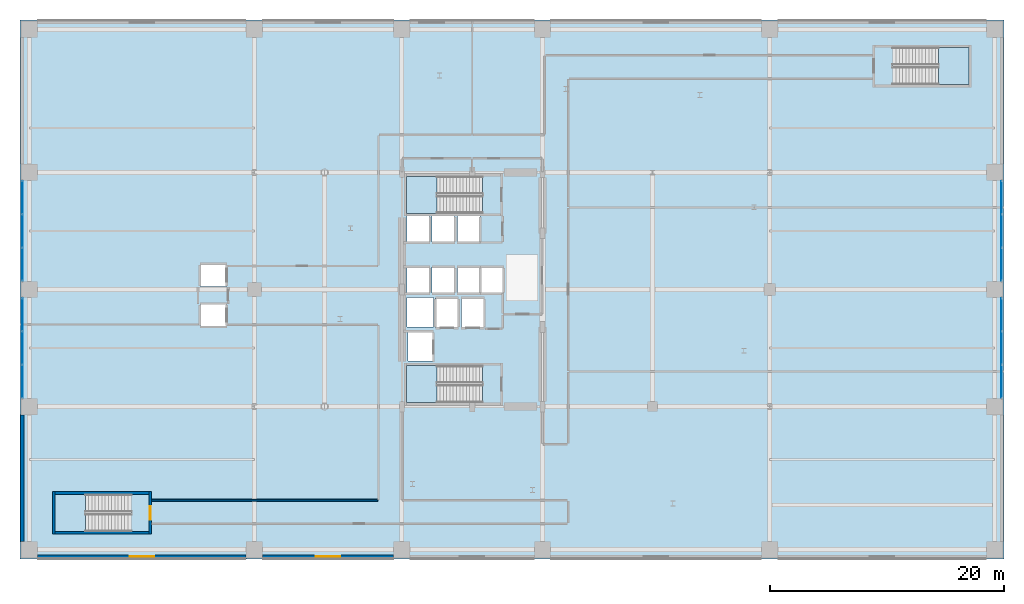
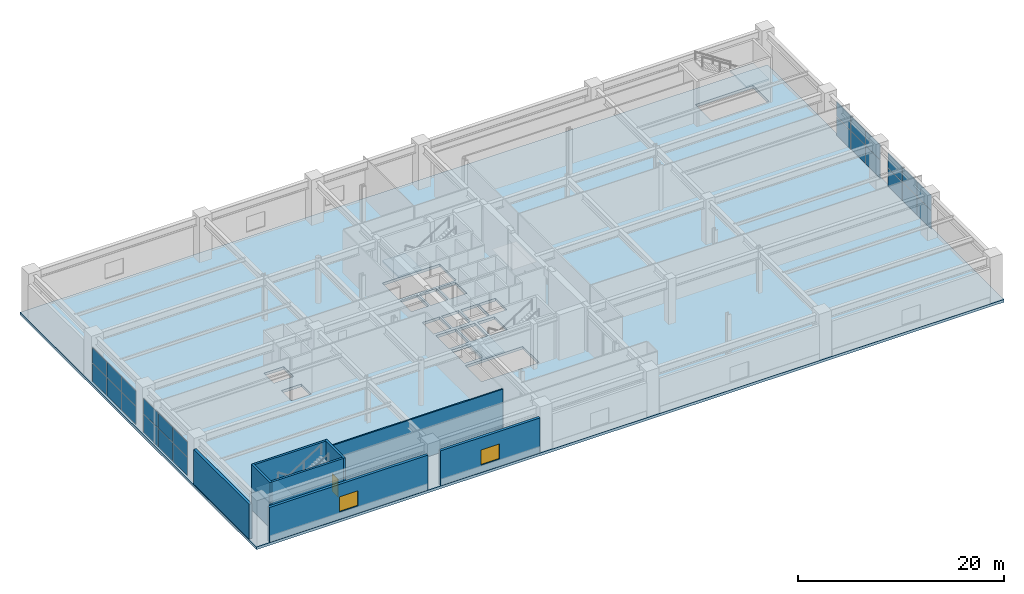
# One storey, part 19 of 28: 24 plates, 8 walls, 5 slabs, 2 windows, 1 door, 3 openings, 8 elements without a shape of their own.
"""IFC4 building model written with IfcOpenShell, lengths in metres."""

from ifc_helpers import new_model, si_unit, direction, frame, frame_2d, origin, origin_2d, place, context, subcontext, project, spatial, polyline, rectangle, outline, extrude, material, layer, layer_set, type_object, element, fill, aggregate, save


model = new_model("IFC4")

# Units and contexts
model_context = context("Model", 3, precision=1e-05, world=origin(), true_north=direction((0.0, 1.0)))
body_context = subcontext(model_context, "Body", "Model", "MODEL_VIEW")
ifc_project = project(units=[si_unit("LENGTHUNIT", "METRE"), si_unit("AREAUNIT", "SQUARE_METRE"), si_unit("VOLUMEUNIT", "CUBIC_METRE"), si_unit("PLANEANGLEUNIT", "RADIAN"), si_unit("MASSUNIT", "GRAM", prefix="KILO")], contexts=[model_context])

# Site, building, storey
site_placement = place(None, origin())
site = spatial("IfcSite", under=ifc_project, at=site_placement, CompositionType="ELEMENT")
building_placement = place(site_placement, origin())
building = spatial("IfcBuilding", under=site, at=building_placement, Name="Soratama Intermodal Tower", CompositionType="ELEMENT")
storey_placement = place(building_placement, frame((0.0, 0.0, 6.0)))
storey = spatial("IfcBuildingStorey", under=building, at=storey_placement, Name="L01", CompositionType="ELEMENT", Elevation=6.0)

# Curtain wall, plates
ifc_material_1 = material(Name="Double-glazed aluminium curtain wall", Category="aluminium")
ifc_layer_1 = layer(ifc_material_1, 0.159912109375)
ifc_layer_set_1 = layer_set([ifc_layer_1], Name="Double-glazed aluminium curtain wall")
curtain_wall_type = type_object("IfcCurtainWallType", Name="CW-SYS-1", PredefinedType="NOTDEFINED", material=ifc_layer_set_1)
curtain_wall_1_placement = place(storey_placement, origin())
curtain_wall_1 = element("IfcCurtainWall", 1, at=curtain_wall_1_placement, inside=storey, type_object=curtain_wall_type, Name="L01 Station Curtain Wall E1", PredefinedType="NOTDEFINED")
ifc_material_2 = material(Name="Low-E laminated double glazing", Category="glass")
ifc_layer_2 = layer(ifc_material_2, 0.035888671875)
ifc_layer_set_2 = layer_set([ifc_layer_2], Name="Low-E laminated double glazing")
plate_type = type_object("IfcPlateType", Name="PT-CWP-1", PredefinedType="CURTAIN_PANEL", material=ifc_layer_set_2)
plate_1_placement = place(storey_placement, frame((83.800048828125, 17.1484375, 0.06005859375), z_axis=(0.0, 0.0, 1.0), x_axis=(0.0, 1.0, 0.0)))
plate_1 = element("IfcPlate", 2, at=plate_1_placement, type_object=plate_type, Name="CW-1 panel 1.1", PredefinedType="CURTAIN_PANEL", context=body_context, shape_type="SweptSolid", body=[
    extrude(rectangle(XDim=2.776611328125, YDim=0.028076171875, at=origin_2d()), origin(), (0.0, 0.0, 1.0), 2.159912109375),
])
plate_2_placement = place(storey_placement, frame((83.800048828125, 17.1484375, 2.280029296875), z_axis=(0.0, 0.0, 1.0), x_axis=(0.0, 1.0, 0.0)))
plate_2 = element("IfcPlate", 3, at=plate_2_placement, type_object=plate_type, Name="CW-1 panel 1.2", PredefinedType="CURTAIN_PANEL", context=body_context, shape_type="SweptSolid", body=[
    extrude(rectangle(XDim=2.776611328125, YDim=0.028076171875, at=origin_2d()), origin(), (0.0, 0.0, 1.0), 1.7958984375),
])
plate_3_placement = place(storey_placement, frame((83.800048828125, 20.0, 0.06005859375), z_axis=(0.0, 0.0, 1.0), x_axis=(0.0, 1.0, 0.0)))
plate_3 = element("IfcPlate", 4, at=plate_3_placement, type_object=plate_type, Name="CW-1 panel 2.1", PredefinedType="CURTAIN_PANEL", context=body_context, shape_type="SweptSolid", body=[
    extrude(rectangle(XDim=2.806640625, YDim=0.028076171875, at=origin_2d()), origin(), (0.0, 0.0, 1.0), 2.159912109375),
])
plate_4_placement = place(storey_placement, frame((83.800048828125, 20.0, 2.280029296875), z_axis=(0.0, 0.0, 1.0), x_axis=(0.0, 1.0, 0.0)))
plate_4 = element("IfcPlate", 5, at=plate_4_placement, type_object=plate_type, Name="CW-1 panel 2.2", PredefinedType="CURTAIN_PANEL", context=body_context, shape_type="SweptSolid", body=[
    extrude(rectangle(XDim=2.806640625, YDim=0.028076171875, at=origin_2d()), origin(), (0.0, 0.0, 1.0), 1.7958984375),
])
plate_5_placement = place(storey_placement, frame((83.800048828125, 22.8515625, 0.06005859375), z_axis=(0.0, 0.0, 1.0), x_axis=(0.0, 1.0, 0.0)))
plate_5 = element("IfcPlate", 6, at=plate_5_placement, type_object=plate_type, Name="CW-1 panel 3.1", PredefinedType="CURTAIN_PANEL", context=body_context, shape_type="SweptSolid", body=[
    extrude(rectangle(XDim=2.776611328125, YDim=0.028076171875, at=origin_2d()), origin(), (0.0, 0.0, 1.0), 2.159912109375),
])
plate_6_placement = place(storey_placement, frame((83.800048828125, 22.8515625, 2.280029296875), z_axis=(0.0, 0.0, 1.0), x_axis=(0.0, 1.0, 0.0)))
plate_6 = element("IfcPlate", 7, at=plate_6_placement, type_object=plate_type, Name="CW-1 panel 3.2", PredefinedType="CURTAIN_PANEL", context=body_context, shape_type="SweptSolid", body=[
    extrude(rectangle(XDim=2.776611328125, YDim=0.028076171875, at=origin_2d()), origin(), (0.0, 0.0, 1.0), 1.7958984375),
])
aggregate(curtain_wall_1, [plate_1, plate_2, plate_3, plate_4, plate_5, plate_6])

curtain_wall_2_placement = place(storey_placement, origin())
curtain_wall_2 = element("IfcCurtainWall", 8, at=curtain_wall_2_placement, inside=storey, type_object=curtain_wall_type, Name="L01 Station Curtain Wall E2", PredefinedType="NOTDEFINED")
plate_7_placement = place(storey_placement, frame((83.800048828125, 27.1484375, 0.06005859375), z_axis=(0.0, 0.0, 1.0), x_axis=(0.0, 1.0, 0.0)))
plate_7 = element("IfcPlate", 9, at=plate_7_placement, type_object=plate_type, Name="CW-1 panel 1.1", PredefinedType="CURTAIN_PANEL", context=body_context, shape_type="SweptSolid", body=[
    extrude(rectangle(XDim=2.776611328125, YDim=0.028076171875, at=origin_2d()), origin(), (0.0, 0.0, 1.0), 2.159912109375),
])
plate_8_placement = place(storey_placement, frame((83.800048828125, 27.1484375, 2.280029296875), z_axis=(0.0, 0.0, 1.0), x_axis=(0.0, 1.0, 0.0)))
plate_8 = element("IfcPlate", 10, at=plate_8_placement, type_object=plate_type, Name="CW-1 panel 1.2", PredefinedType="CURTAIN_PANEL", context=body_context, shape_type="SweptSolid", body=[
    extrude(rectangle(XDim=2.776611328125, YDim=0.028076171875, at=origin_2d()), origin(), (0.0, 0.0, 1.0), 1.7958984375),
])
plate_9_placement = place(storey_placement, frame((83.800048828125, 30.0, 0.06005859375), z_axis=(0.0, 0.0, 1.0), x_axis=(0.0, 1.0, 0.0)))
plate_9 = element("IfcPlate", 11, at=plate_9_placement, type_object=plate_type, Name="CW-1 panel 2.1", PredefinedType="CURTAIN_PANEL", context=body_context, shape_type="SweptSolid", body=[
    extrude(rectangle(XDim=2.806640625, YDim=0.028076171875, at=origin_2d()), origin(), (0.0, 0.0, 1.0), 2.159912109375),
])
plate_10_placement = place(storey_placement, frame((83.800048828125, 30.0, 2.280029296875), z_axis=(0.0, 0.0, 1.0), x_axis=(0.0, 1.0, 0.0)))
plate_10 = element("IfcPlate", 12, at=plate_10_placement, type_object=plate_type, Name="CW-1 panel 2.2", PredefinedType="CURTAIN_PANEL", context=body_context, shape_type="SweptSolid", body=[
    extrude(rectangle(XDim=2.806640625, YDim=0.028076171875, at=origin_2d()), origin(), (0.0, 0.0, 1.0), 1.7958984375),
])
plate_11_placement = place(storey_placement, frame((83.800048828125, 32.8515625, 0.06005859375), z_axis=(0.0, 0.0, 1.0), x_axis=(0.0, 1.0, 0.0)))
plate_11 = element("IfcPlate", 13, at=plate_11_placement, type_object=plate_type, Name="CW-1 panel 3.1", PredefinedType="CURTAIN_PANEL", context=body_context, shape_type="SweptSolid", body=[
    extrude(rectangle(XDim=2.776611328125, YDim=0.028076171875, at=origin_2d()), origin(), (0.0, 0.0, 1.0), 2.159912109375),
])
plate_12_placement = place(storey_placement, frame((83.800048828125, 32.8515625, 2.280029296875), z_axis=(0.0, 0.0, 1.0), x_axis=(0.0, 1.0, 0.0)))
plate_12 = element("IfcPlate", 14, at=plate_12_placement, type_object=plate_type, Name="CW-1 panel 3.2", PredefinedType="CURTAIN_PANEL", context=body_context, shape_type="SweptSolid", body=[
    extrude(rectangle(XDim=2.776611328125, YDim=0.028076171875, at=origin_2d()), origin(), (0.0, 0.0, 1.0), 1.7958984375),
])
aggregate(curtain_wall_2, [plate_7, plate_8, plate_9, plate_10, plate_11, plate_12])

curtain_wall_3_placement = place(storey_placement, origin())
curtain_wall_3 = element("IfcCurtainWall", 15, at=curtain_wall_3_placement, inside=storey, type_object=curtain_wall_type, Name="L01 Station Curtain Wall W1", PredefinedType="NOTDEFINED")
plate_13_placement = place(storey_placement, frame((0.199951171875, 17.1484375, 0.06005859375), z_axis=(0.0, 0.0, 1.0), x_axis=(0.0, 1.0, 0.0)))
plate_13 = element("IfcPlate", 16, at=plate_13_placement, type_object=plate_type, Name="CW-1 panel 1.1", PredefinedType="CURTAIN_PANEL", context=body_context, shape_type="SweptSolid", body=[
    extrude(rectangle(XDim=2.776611328125, YDim=0.028076171875, at=origin_2d()), origin(), (0.0, 0.0, 1.0), 2.159912109375),
])
plate_14_placement = place(storey_placement, frame((0.199951171875, 17.1484375, 2.280029296875), z_axis=(0.0, 0.0, 1.0), x_axis=(0.0, 1.0, 0.0)))
plate_14 = element("IfcPlate", 17, at=plate_14_placement, type_object=plate_type, Name="CW-1 panel 1.2", PredefinedType="CURTAIN_PANEL", context=body_context, shape_type="SweptSolid", body=[
    extrude(rectangle(XDim=2.776611328125, YDim=0.028076171875, at=origin_2d()), origin(), (0.0, 0.0, 1.0), 1.7958984375),
])
plate_15_placement = place(storey_placement, frame((0.199951171875, 20.0, 0.06005859375), z_axis=(0.0, 0.0, 1.0), x_axis=(0.0, 1.0, 0.0)))
plate_15 = element("IfcPlate", 18, at=plate_15_placement, type_object=plate_type, Name="CW-1 panel 2.1", PredefinedType="CURTAIN_PANEL", context=body_context, shape_type="SweptSolid", body=[
    extrude(rectangle(XDim=2.806640625, YDim=0.028076171875, at=origin_2d()), origin(), (0.0, 0.0, 1.0), 2.159912109375),
])
plate_16_placement = place(storey_placement, frame((0.199951171875, 20.0, 2.280029296875), z_axis=(0.0, 0.0, 1.0), x_axis=(0.0, 1.0, 0.0)))
plate_16 = element("IfcPlate", 19, at=plate_16_placement, type_object=plate_type, Name="CW-1 panel 2.2", PredefinedType="CURTAIN_PANEL", context=body_context, shape_type="SweptSolid", body=[
    extrude(rectangle(XDim=2.806640625, YDim=0.028076171875, at=origin_2d()), origin(), (0.0, 0.0, 1.0), 1.7958984375),
])
plate_17_placement = place(storey_placement, frame((0.199951171875, 22.8515625, 0.06005859375), z_axis=(0.0, 0.0, 1.0), x_axis=(0.0, 1.0, 0.0)))
plate_17 = element("IfcPlate", 20, at=plate_17_placement, type_object=plate_type, Name="CW-1 panel 3.1", PredefinedType="CURTAIN_PANEL", context=body_context, shape_type="SweptSolid", body=[
    extrude(rectangle(XDim=2.776611328125, YDim=0.028076171875, at=origin_2d()), origin(), (0.0, 0.0, 1.0), 2.159912109375),
])
plate_18_placement = place(storey_placement, frame((0.199951171875, 22.8515625, 2.280029296875), z_axis=(0.0, 0.0, 1.0), x_axis=(0.0, 1.0, 0.0)))
plate_18 = element("IfcPlate", 21, at=plate_18_placement, type_object=plate_type, Name="CW-1 panel 3.2", PredefinedType="CURTAIN_PANEL", context=body_context, shape_type="SweptSolid", body=[
    extrude(rectangle(XDim=2.776611328125, YDim=0.028076171875, at=origin_2d()), origin(), (0.0, 0.0, 1.0), 1.7958984375),
])
aggregate(curtain_wall_3, [plate_13, plate_14, plate_15, plate_16, plate_17, plate_18])

curtain_wall_4_placement = place(storey_placement, origin())
curtain_wall_4 = element("IfcCurtainWall", 22, at=curtain_wall_4_placement, inside=storey, type_object=curtain_wall_type, Name="L01 Station Curtain Wall W2", PredefinedType="NOTDEFINED")
plate_19_placement = place(storey_placement, frame((0.199951171875, 27.1484375, 0.06005859375), z_axis=(0.0, 0.0, 1.0), x_axis=(0.0, 1.0, 0.0)))
plate_19 = element("IfcPlate", 23, at=plate_19_placement, type_object=plate_type, Name="CW-1 panel 1.1", PredefinedType="CURTAIN_PANEL", context=body_context, shape_type="SweptSolid", body=[
    extrude(rectangle(XDim=2.776611328125, YDim=0.028076171875, at=origin_2d()), origin(), (0.0, 0.0, 1.0), 2.159912109375),
])
plate_20_placement = place(storey_placement, frame((0.199951171875, 27.1484375, 2.280029296875), z_axis=(0.0, 0.0, 1.0), x_axis=(0.0, 1.0, 0.0)))
plate_20 = element("IfcPlate", 24, at=plate_20_placement, type_object=plate_type, Name="CW-1 panel 1.2", PredefinedType="CURTAIN_PANEL", context=body_context, shape_type="SweptSolid", body=[
    extrude(rectangle(XDim=2.776611328125, YDim=0.028076171875, at=origin_2d()), origin(), (0.0, 0.0, 1.0), 1.7958984375),
])
plate_21_placement = place(storey_placement, frame((0.199951171875, 30.0, 0.06005859375), z_axis=(0.0, 0.0, 1.0), x_axis=(0.0, 1.0, 0.0)))
plate_21 = element("IfcPlate", 25, at=plate_21_placement, type_object=plate_type, Name="CW-1 panel 2.1", PredefinedType="CURTAIN_PANEL", context=body_context, shape_type="SweptSolid", body=[
    extrude(rectangle(XDim=2.806640625, YDim=0.028076171875, at=origin_2d()), origin(), (0.0, 0.0, 1.0), 2.159912109375),
])
plate_22_placement = place(storey_placement, frame((0.199951171875, 30.0, 2.280029296875), z_axis=(0.0, 0.0, 1.0), x_axis=(0.0, 1.0, 0.0)))
plate_22 = element("IfcPlate", 26, at=plate_22_placement, type_object=plate_type, Name="CW-1 panel 2.2", PredefinedType="CURTAIN_PANEL", context=body_context, shape_type="SweptSolid", body=[
    extrude(rectangle(XDim=2.806640625, YDim=0.028076171875, at=origin_2d()), origin(), (0.0, 0.0, 1.0), 1.7958984375),
])
plate_23_placement = place(storey_placement, frame((0.199951171875, 32.8515625, 0.06005859375), z_axis=(0.0, 0.0, 1.0), x_axis=(0.0, 1.0, 0.0)))
plate_23 = element("IfcPlate", 27, at=plate_23_placement, type_object=plate_type, Name="CW-1 panel 3.1", PredefinedType="CURTAIN_PANEL", context=body_context, shape_type="SweptSolid", body=[
    extrude(rectangle(XDim=2.776611328125, YDim=0.028076171875, at=origin_2d()), origin(), (0.0, 0.0, 1.0), 2.159912109375),
])
plate_24_placement = place(storey_placement, frame((0.199951171875, 32.8515625, 2.280029296875), z_axis=(0.0, 0.0, 1.0), x_axis=(0.0, 1.0, 0.0)))
plate_24 = element("IfcPlate", 28, at=plate_24_placement, type_object=plate_type, Name="CW-1 panel 3.2", PredefinedType="CURTAIN_PANEL", context=body_context, shape_type="SweptSolid", body=[
    extrude(rectangle(XDim=2.776611328125, YDim=0.028076171875, at=origin_2d()), origin(), (0.0, 0.0, 1.0), 1.7958984375),
])
aggregate(curtain_wall_4, [plate_19, plate_20, plate_21, plate_22, plate_23, plate_24])

# Slab
ifc_material_3 = material(Name="Concrete f'c 42 MPa", Category="concrete")
ifc_layer_3 = layer(ifc_material_3, 0.320068359375)
ifc_layer_set_3 = layer_set([ifc_layer_3], Name="Concrete f'c 42 MPa")
slab_type_1 = type_object("IfcSlabType", Name="SL-POD-320", PredefinedType="FLOOR", material=ifc_layer_set_3)
slab_1_placement = place(storey_placement, frame((0.0, 0.0, -0.320068359375)))
element("IfcSlab", 29, at=slab_1_placement, inside=storey, type_object=slab_type_1, Name="L01 Structural Floor Slab", PredefinedType="FLOOR", context=body_context, shape_type="SweptSolid", body=[
    extrude(outline(polyline([(0.0, 2.0), (84.0, 2.0), (84.0, 48.0), (0.0, 48.0), (0.0, 2.0)]), holes=[polyline([(9.47509765625, 7.5), (3.0, 7.5), (3.0, 4.35009765625), (9.47509765625, 4.35009765625), (9.47509765625, 7.5)]), polyline([(35.260009765625, 18.889892578125), (35.260009765625, 21.409912109375), (33.139892578125, 21.409912109375), (33.139892578125, 18.889892578125), (35.260009765625, 18.889892578125)]), polyline([(17.610107421875, 21.840087890625), (17.610107421875, 23.760009765625), (15.389892578125, 23.760009765625), (15.389892578125, 21.840087890625), (17.610107421875, 21.840087890625)]), polyline([(33.050048828125, 21.800048828125), (35.280029296875, 21.800048828125), (35.280029296875, 24.320068359375), (33.050048828125, 24.320068359375), (33.050048828125, 21.800048828125)]), polyline([(34.9599609375, 24.68994140625), (34.9599609375, 26.909912109375), (33.0400390625, 26.909912109375), (33.0400390625, 24.68994140625), (34.9599609375, 24.68994140625)]), polyline([(37.110107421875, 24.68994140625), (37.110107421875, 26.909912109375), (35.18994140625, 26.909912109375), (35.18994140625, 24.68994140625), (37.110107421875, 24.68994140625)]), polyline([(17.610107421875, 25.239990234375), (17.610107421875, 27.159912109375), (15.389892578125, 27.159912109375), (15.389892578125, 25.239990234375), (17.610107421875, 25.239990234375)]), polyline([(34.9599609375, 29.0400390625), (34.9599609375, 31.260009765625), (33.0400390625, 31.260009765625), (33.0400390625, 29.0400390625), (34.9599609375, 29.0400390625)]), polyline([(37.110107421875, 29.0400390625), (37.110107421875, 31.260009765625), (35.18994140625, 31.260009765625), (35.18994140625, 29.0400390625), (37.110107421875, 29.0400390625)]), polyline([(39.47509765625, 18.5), (33.0, 18.5), (33.0, 15.35009765625), (39.47509765625, 15.35009765625), (39.47509765625, 18.5)]), polyline([(37.409912109375, 21.739990234375), (37.409912109375, 24.260009765625), (35.489990234375, 24.260009765625), (35.489990234375, 21.739990234375), (37.409912109375, 21.739990234375)]), polyline([(39.610107421875, 21.739990234375), (39.610107421875, 24.260009765625), (37.68994140625, 24.260009765625), (37.68994140625, 21.739990234375), (39.610107421875, 21.739990234375)]), polyline([(39.260009765625, 24.68994140625), (39.260009765625, 26.909912109375), (37.340087890625, 26.909912109375), (37.340087890625, 24.68994140625), (39.260009765625, 24.68994140625)]), polyline([(41.260009765625, 24.68994140625), (41.260009765625, 26.909912109375), (39.340087890625, 26.909912109375), (39.340087890625, 24.68994140625), (41.260009765625, 24.68994140625)]), polyline([(39.260009765625, 29.0400390625), (39.260009765625, 31.260009765625), (37.340087890625, 31.260009765625), (37.340087890625, 29.0400390625), (39.260009765625, 29.0400390625)]), polyline([(39.47509765625, 31.5), (39.47509765625, 34.64990234375), (33.0, 34.64990234375), (33.0, 31.5), (39.47509765625, 31.5)]), polyline([(74.52490234375, 45.64990234375), (74.52490234375, 42.5), (81.0, 42.5), (81.0, 45.64990234375), (74.52490234375, 45.64990234375)])]), origin(), (0.0, 0.0, 1.0), 0.320068359375),
])

# Stair, slab
ifc_material_4 = material(Name="Concrete f'c 42 MPa", Category="concrete")
stair_type = type_object("IfcStairType", Name="ST-CORE-DOGLEG", PredefinedType="HALF_TURN_STAIR", material=ifc_material_4)
stair_1_placement = place(storey_placement, origin())
stair_1 = element("IfcStair", 30, at=stair_1_placement, inside=storey, type_object=stair_type, Name="L01 ST-1", PredefinedType="HALF_TURN_STAIR")
ifc_material_5 = material(Name="Concrete f'c 42 MPa", Category="concrete")
ifc_layer_4 = layer(ifc_material_5, 0.219970703125)
ifc_layer_set_4 = layer_set([ifc_layer_4], Name="Concrete f'c 42 MPa")
slab_type_2 = type_object("IfcSlabType", Name="SL-STAIR-LAND", PredefinedType="LANDING", material=ifc_layer_set_4)
slab_2_placement = place(storey_placement, frame((0.0, 0.0, 2.5)))
slab_2 = element("IfcSlab", 31, at=slab_2_placement, type_object=slab_type_2, Name="ST-1 landing 1", PredefinedType="LANDING", context=body_context, shape_type="SweptSolid", body=[
    extrude(outline(polyline([(35.580078125, 18.5), (33.0, 18.5), (33.0, 15.35009765625), (35.580078125, 15.35009765625), (35.580078125, 18.5)])), origin(), (0.0, 0.0, 1.0), 0.199951171875),
])
aggregate(stair_1, [slab_2])

stair_2_placement = place(storey_placement, origin())
stair_2 = element("IfcStair", 32, at=stair_2_placement, inside=storey, type_object=stair_type, Name="L01 ST-2", PredefinedType="HALF_TURN_STAIR")
slab_3_placement = place(storey_placement, frame((0.0, 0.0, 2.5)))
slab_3 = element("IfcSlab", 33, at=slab_3_placement, type_object=slab_type_2, Name="ST-2 landing 1", PredefinedType="LANDING", context=body_context, shape_type="SweptSolid", body=[
    extrude(outline(polyline([(35.580078125, 34.64990234375), (33.0, 34.64990234375), (33.0, 31.5), (35.580078125, 31.5), (35.580078125, 34.64990234375)])), origin(), (0.0, 0.0, 1.0), 0.199951171875),
])
aggregate(stair_2, [slab_3])

stair_3_placement = place(storey_placement, origin())
stair_3 = element("IfcStair", 34, at=stair_3_placement, inside=storey, type_object=stair_type, Name="L01 ST-3", PredefinedType="HALF_TURN_STAIR")
slab_4_placement = place(storey_placement, frame((0.0, 0.0, 2.5)))
slab_4 = element("IfcSlab", 35, at=slab_4_placement, type_object=slab_type_2, Name="ST-3 landing 1", PredefinedType="LANDING", context=body_context, shape_type="SweptSolid", body=[
    extrude(outline(polyline([(5.580078125, 7.5), (3.0, 7.5), (3.0, 4.35009765625), (5.580078125, 4.35009765625), (5.580078125, 7.5)])), origin(), (0.0, 0.0, 1.0), 0.199951171875),
])
aggregate(stair_3, [slab_4])

stair_4_placement = place(storey_placement, origin())
stair_4 = element("IfcStair", 36, at=stair_4_placement, inside=storey, type_object=stair_type, Name="L01 ST-4", PredefinedType="HALF_TURN_STAIR")
slab_5_placement = place(storey_placement, frame((0.0, 0.0, 2.5)))
slab_5 = element("IfcSlab", 37, at=slab_5_placement, type_object=slab_type_2, Name="ST-4 landing 1", PredefinedType="LANDING", context=body_context, shape_type="SweptSolid", body=[
    extrude(outline(polyline([(78.419921875, 42.5), (81.0, 42.5), (81.0, 45.64990234375), (78.419921875, 45.64990234375), (78.419921875, 42.5)])), origin(), (0.0, 0.0, 1.0), 0.199951171875),
])
aggregate(stair_4, [slab_5])

# Wall, opening, window
ifc_material_6 = material(Name="Concrete f'c 42 MPa", Category="concrete")
ifc_layer_5 = layer(ifc_material_6, 0.300048828125)
ifc_layer_set_5 = layer_set([ifc_layer_5], Name="Concrete f'c 42 MPa")
wall_type_1 = type_object("IfcWallType", Name="EW-STONE-300", PredefinedType="SOLIDWALL", material=ifc_layer_set_5)
wall_1_placement = place(storey_placement, frame((19.300048828125, 2.199951171875, 0.0), z_axis=(0.0, 0.0, 1.0), x_axis=(-1.0, 0.0, 0.0)))
wall_1 = element("IfcWall", 38, at=wall_1_placement, inside=storey, type_object=wall_type_1, Name="L01 S Limestone Wall B1", PredefinedType="SOLIDWALL", context=body_context, shape_type="SweptSolid", body=[
    extrude(rectangle(XDim=17.800048828125, YDim=0.300048828125, at=frame_2d((8.89990234375, 0.0))), origin(), (0.0, 0.0, 1.0), 4.135986328125),
])
opening_1_placement = place(wall_1_placement, frame((7.85009765625, 0.0, 0.85009765625)))
opening_1 = element("IfcOpeningElement", 39, at=opening_1_placement, cuts=wall_1, Name="Opening WN-0", PredefinedType="OPENING", context=body_context, shape_type="SweptSolid", body=[
    extrude(rectangle(XDim=2.10009765625, YDim=1.800048828125, at=frame_2d((1.050048828125, 0.89990234375))), frame((0.0, 0.159912109375, 0.0), z_axis=(0.0, -1.0, 0.0), x_axis=(1.0, 0.0, 0.0)), (0.0, 0.0, 1.0), 0.320068359375),
])
ifc_material_7 = material(Name="Double-glazed aluminium window", Category="aluminium")
window_type = type_object("IfcWindowType", Name="WN-POD-2100", PartitioningType="SINGLE_PANEL", PredefinedType="WINDOW", material=ifc_material_7)
window_1_placement = place(opening_1_placement, origin())
window_1 = element("IfcWindow", 40, at=window_1_placement, inside=storey, type_object=window_type, Name="L01 S Window B1", OverallHeight=1.800048828125, OverallWidth=2.10009765625, PartitioningType="SINGLE_PANEL", PredefinedType="WINDOW", context=body_context, shape_type="SweptSolid", body=[
    extrude(rectangle(XDim=2.10009765625, YDim=1.800048828125, at=frame_2d((1.050048828125, 0.89990234375))), frame((0.0, 0.030029296875, 0.0), z_axis=(0.0, -1.0, 0.0), x_axis=(1.0, 0.0, 0.0)), (0.0, 0.0, 1.0), 0.06005859375),
])
fill(opening_1, window_1)

wall_2_placement = place(storey_placement, frame((31.89990234375, 2.199951171875, 0.0), z_axis=(0.0, 0.0, 1.0), x_axis=(-1.0, 0.0, 0.0)))
wall_2 = element("IfcWall", 41, at=wall_2_placement, inside=storey, type_object=wall_type_1, Name="L01 S Limestone Wall B2", PredefinedType="SOLIDWALL", context=body_context, shape_type="SweptSolid", body=[
    extrude(rectangle(XDim=11.199951171875, YDim=0.300048828125, at=frame_2d((5.60009765625, 0.0))), origin(), (0.0, 0.0, 1.0), 4.135986328125),
])
opening_2_placement = place(wall_2_placement, frame((4.550048828125, 0.0, 0.85009765625)))
opening_2 = element("IfcOpeningElement", 42, at=opening_2_placement, cuts=wall_2, Name="Opening WN-0", PredefinedType="OPENING", context=body_context, shape_type="SweptSolid", body=[
    extrude(rectangle(XDim=2.10009765625, YDim=1.800048828125, at=frame_2d((1.050048828125, 0.89990234375))), frame((0.0, 0.159912109375, 0.0), z_axis=(0.0, -1.0, 0.0), x_axis=(1.0, 0.0, 0.0)), (0.0, 0.0, 1.0), 0.320068359375),
])
window_2_placement = place(opening_2_placement, origin())
window_2 = element("IfcWindow", 43, at=window_2_placement, inside=storey, type_object=window_type, Name="L01 S Window B2", OverallHeight=1.800048828125, OverallWidth=2.10009765625, PartitioningType="SINGLE_PANEL", PredefinedType="WINDOW", context=body_context, shape_type="SweptSolid", body=[
    extrude(rectangle(XDim=2.10009765625, YDim=1.800048828125, at=frame_2d((1.050048828125, 0.89990234375))), frame((0.0, 0.030029296875, 0.0), z_axis=(0.0, -1.0, 0.0), x_axis=(1.0, 0.0, 0.0)), (0.0, 0.0, 1.0), 0.06005859375),
])
fill(opening_2, window_2)

# Walls
wall_3_placement = place(storey_placement, frame((0.199951171875, 3.5, 0.0), z_axis=(0.0, 0.0, 1.0), x_axis=(0.0, 1.0, 0.0)))
element("IfcWall", 44, at=wall_3_placement, inside=storey, type_object=wall_type_1, Name="L01 Perimeter Wall WS", PredefinedType="SOLIDWALL", context=body_context, shape_type="SweptSolid", body=[
    extrude(rectangle(XDim=10.800048828125, YDim=0.300048828125, at=frame_2d((5.39990234375, 0.0))), origin(), (0.0, 0.0, 1.0), 4.135986328125),
])
ifc_material_8 = material(Name="Fire-rated gypsum stud partition", Category="concrete")
ifc_layer_6 = layer(ifc_material_8, 0.14990234375)
ifc_layer_set_6 = layer_set([ifc_layer_6], Name="Fire-rated gypsum stud partition")
wall_type_2 = type_object("IfcWallType", Name="IW-PART-R150", PredefinedType="PARTITIONING", material=ifc_layer_set_6)
wall_4_placement = place(storey_placement, frame((11.1201171875, 7.0, 0.0), z_axis=(0.0, 0.0, 1.0), x_axis=(1.0, 0.0, 0.0)))
element("IfcWall", 45, at=wall_4_placement, inside=storey, type_object=wall_type_2, Name="L01 Partition W-L01-TP006", PredefinedType="PARTITIONING", context=body_context, shape_type="SweptSolid", body=[
    extrude(rectangle(XDim=19.409912109375, YDim=0.14990234375, at=frame_2d((9.705078125, 0.0))), origin(), (0.0, 0.0, 1.0), 5.080078125),
])
ifc_material_9 = material(Name="Concrete f'c 56 MPa", Category="concrete")
ifc_layer_7 = layer(ifc_material_9, 0.239990234375)
ifc_layer_set_7 = layer_set([ifc_layer_7], Name="Concrete f'c 56 MPa")
wall_type_3 = type_object("IfcWallType", Name="SW-STAIR-240", PredefinedType="SHEAR", material=ifc_layer_set_7)
wall_5_placement = place(storey_placement, frame((2.8798828125, 4.110107421875, 0.0), z_axis=(0.0, 0.0, 1.0), x_axis=(0.0, 1.0, 0.0)))
element("IfcWall", 46, at=wall_5_placement, inside=storey, type_object=wall_type_3, Name="L01 ST-3 Shaft Shear Wall W", PredefinedType="SHEAR", context=body_context, shape_type="SweptSolid", body=[
    extrude(rectangle(XDim=3.6298828125, YDim=0.239990234375, at=frame_2d((1.81494140625, 0.0))), origin(), (0.0, 0.0, 1.0), 5.39990234375),
])

# Wall, opening, door
wall_6_placement = place(storey_placement, frame((11.1201171875, 4.110107421875, 0.0), z_axis=(0.0, 0.0, 1.0), x_axis=(0.0, 1.0, 0.0)))
wall_6 = element("IfcWall", 47, at=wall_6_placement, inside=storey, type_object=wall_type_3, Name="L01 ST-3 Shaft Shear Wall E", PredefinedType="SHEAR", context=body_context, shape_type="SweptSolid", body=[
    extrude(rectangle(XDim=3.6298828125, YDim=0.239990234375, at=frame_2d((1.81494140625, 0.0))), origin(), (0.0, 0.0, 1.0), 5.39990234375),
])
opening_3_placement = place(wall_6_placement, frame((1.2548828125, 0.0, 0.0)))
opening_3 = element("IfcOpeningElement", 48, at=opening_3_placement, cuts=wall_6, Name="Opening SD-1", PredefinedType="OPENING", context=body_context, shape_type="SweptSolid", body=[
    extrude(rectangle(XDim=1.1201171875, YDim=2.14990234375, at=frame_2d((0.56005859375, 1.074951171875))), frame((0.0, 0.1298828125, 0.0), z_axis=(0.0, -1.0, 0.0), x_axis=(1.0, 0.0, 0.0)), (0.0, 0.0, 1.0), 0.260009765625),
])
ifc_material_10 = material(Name="Steel fire door", Category="steel")
door_type = type_object("IfcDoorType", Name="DR-STAIR-FD90", OperationType="NOTDEFINED", PredefinedType="DOOR", material=ifc_material_10)
door_placement = place(opening_3_placement, origin())
door = element("IfcDoor", 49, at=door_placement, inside=storey, type_object=door_type, Name="L01 ST-3 Exit Stair Door", OperationType="SINGLE_SWING_LEFT", OverallHeight=2.14990234375, OverallWidth=1.1201171875, PredefinedType="DOOR", context=body_context, shape_type="SweptSolid", body=[
    extrude(rectangle(XDim=1.1201171875, YDim=2.14990234375, at=frame_2d((0.56005859375, 1.074951171875))), frame((0.0, 0.02490234375, 0.0), z_axis=(0.0, -1.0, 0.0), x_axis=(1.0, 0.0, 0.0)), (0.0, 0.0, 1.0), 0.050048828125),
])
fill(opening_3, door)

# Walls
for number, where, z_axis, x_axis, name in (
    (50, (3.0, 4.22998046875, 0.0), (0.0, 0.0, 1.0), (1.0, 0.0, 0.0), "L01 ST-3 Shaft Shear Wall S"),
    (51, (3.0, 7.6201171875, 0.0), (0.0, 0.0, 1.0), (1.0, 0.0, 0.0), "L01 ST-3 Shaft Shear Wall N"),
):
    element("IfcWall", number, at=place(storey_placement, frame(where, z_axis=z_axis, x_axis=x_axis)), inside=storey, type_object=wall_type_3, Name=name, PredefinedType="SHEAR", context=body_context, shape_type="SweptSolid", body=[
        extrude(rectangle(XDim=8.0, YDim=0.239990234375, at=frame_2d((4.0, 0.0))), origin(), (0.0, 0.0, 1.0), 5.39990234375),
    ])

save(model, "model.ifc")
